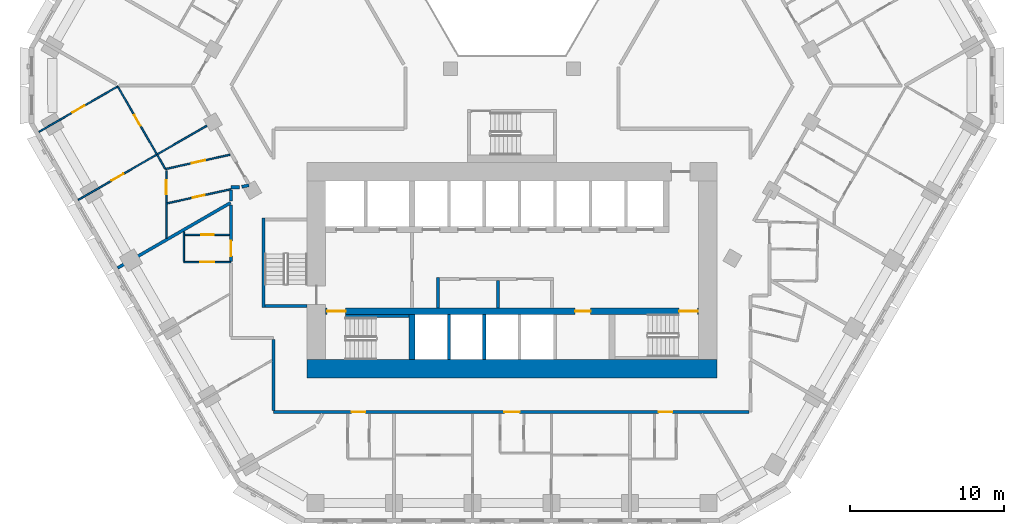
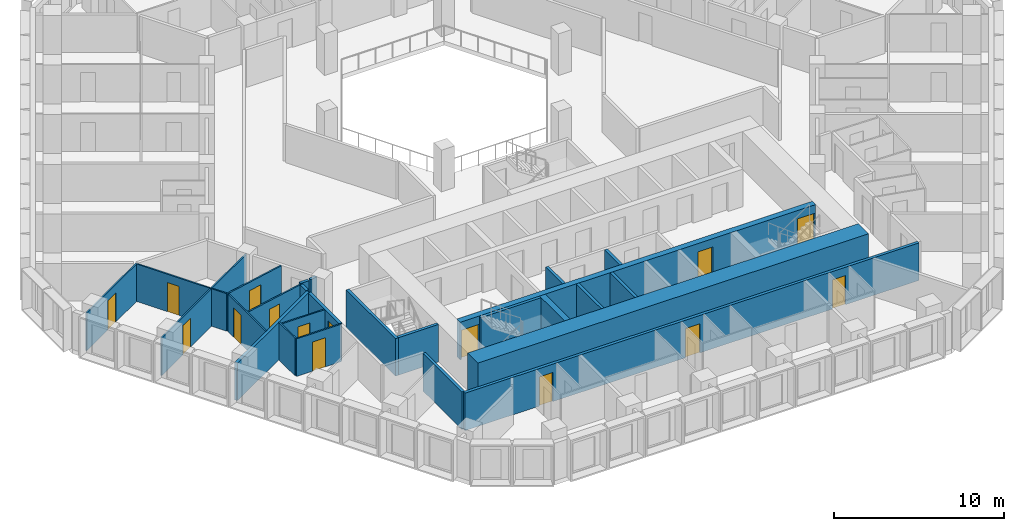
# One storey, part 4 of 21: 27 walls, 15 doors, 15 openings.
"""IFC4 building model written with IfcOpenShell, lengths in metres."""

from ifc_helpers import new_model, si_unit, direction, frame, frame_2d, origin, place, context, subcontext, project, spatial, rectangle, extrude, material, layer, layer_set, type_object, element, fill, save


model = new_model("IFC4")

# Units and contexts
model_context = context("Model", 3, precision=1e-05, world=origin(), true_north=direction((0.0, 1.0)))
body_context = subcontext(model_context, "Body", "Model", "MODEL_VIEW")
ifc_project = project(units=[si_unit("LENGTHUNIT", "METRE"), si_unit("AREAUNIT", "SQUARE_METRE"), si_unit("VOLUMEUNIT", "CUBIC_METRE"), si_unit("PLANEANGLEUNIT", "RADIAN"), si_unit("MASSUNIT", "GRAM", prefix="KILO")], contexts=[model_context])

# Site, building, storey
site_placement = place(None, origin())
site = spatial("IfcSite", under=ifc_project, at=site_placement, CompositionType="ELEMENT")
building_placement = place(site_placement, origin())
building = spatial("IfcBuilding", under=site, at=building_placement, Name="Beryl Residences", CompositionType="ELEMENT")
storey_placement = place(building_placement, frame((0.0, 0.0, 41.39990234375)))
storey = spatial("IfcBuildingStorey", under=building, at=storey_placement, Name="L12", CompositionType="ELEMENT", Elevation=41.39990234375)

# Wall, opening, door
ifc_material_1 = material(Name="Gypsum board partition on steel studs", Category="steel")
ifc_layer_1 = layer(ifc_material_1, 0.10009765625)
ifc_layer_set_1 = layer_set([ifc_layer_1], Name="PT1 partition 100 mm gypsum board on steel studs")
wall_type_1 = type_object("IfcWallType", Name="PT1 partition 100 mm gypsum board on steel studs", PredefinedType="PARTITIONING", material=ifc_layer_set_1)
wall_1_placement = place(storey_placement, frame((-25.580078125, -0.093994140625, 0.0), z_axis=(0.0, 0.0, 1.0), x_axis=(0.500093258202, -0.865971554441, 0.0)))
wall_1 = element("IfcWall", 1, at=wall_1_placement, inside=storey, type_object=wall_type_1, Name="Wall PT1 L12 004", PredefinedType="PARTITIONING", context=body_context, shape_type="SweptSolid", body=[
    extrude(rectangle(XDim=5.05322265625, YDim=0.10009765625, at=frame_2d((2.526611328125, 0.0))), origin(), (0.0, 0.0, 1.0), 2.7001953125),
])
opening_1_placement = place(wall_1_placement, frame((2.10205078125, 0.0, 0.0)))
opening_1 = element("IfcOpeningElement", 2, at=opening_1_placement, cuts=wall_1, Name="Opening D0217", PredefinedType="OPENING", context=body_context, shape_type="SweptSolid", body=[
    extrude(rectangle(XDim=0.800048828125, YDim=2.10009765625, at=frame_2d((0.39990234375, 1.050048828125))), frame((0.0, 0.06005859375, 0.0), z_axis=(0.0, -1.0, 0.0), x_axis=(1.0, 0.0, 0.0)), (0.0, 0.0, 1.0), 0.1201171875),
])
ifc_material_2 = material(Name="Timber door leaf", Category="wood")
door_type_1 = type_object("IfcDoorType", Name="D3 bathroom door 800 x 2100 mm", OperationType="SINGLE_SWING_LEFT", PredefinedType="DOOR", material=ifc_material_2)
door_1_placement = place(opening_1_placement, origin())
door_1 = element("IfcDoor", 3, at=door_1_placement, inside=storey, type_object=door_type_1, Name="Door D0217 L12 001", OperationType="SINGLE_SWING_LEFT", OverallHeight=2.10009765625, OverallWidth=0.800048828125, PredefinedType="DOOR", context=body_context, shape_type="SweptSolid", body=[
    extrude(rectangle(XDim=0.800048828125, YDim=2.10009765625, at=frame_2d((0.39990234375, 1.050048828125))), frame((0.0, 0.02490234375, 0.0), z_axis=(0.0, -1.0, 0.0), x_axis=(1.0, 0.0, 0.0)), (0.0, 0.0, 1.0), 0.050048828125),
])
fill(opening_1, door_1)

# Wall
wall_2_placement = place(storey_placement, frame((-21.31005859375, -9.47412109375, 0.0), z_axis=(0.0, 0.0, 1.0), x_axis=(0.0, -1.0, 0.0)))
element("IfcWall", 4, at=wall_2_placement, inside=storey, type_object=wall_type_1, Name="Wall PT1 L12 012", PredefinedType="PARTITIONING", context=body_context, shape_type="SweptSolid", body=[
    extrude(rectangle(XDim=1.931884765625, YDim=0.10009765625, at=frame_2d((0.9658203125, 0.0))), origin(), (0.0, 0.0, 1.0), 2.7001953125),
])

# Wall, opening, door
wall_3_placement = place(storey_placement, frame((-21.260009765625, -9.68896484375, 0.0), z_axis=(0.0, 0.0, 1.0), x_axis=(1.0, 0.0, 0.0)))
wall_3 = element("IfcWall", 5, at=wall_3_placement, inside=storey, type_object=wall_type_1, Name="Wall PT1 L12 028", PredefinedType="PARTITIONING", context=body_context, shape_type="SweptSolid", body=[
    extrude(rectangle(XDim=2.909912109375, YDim=0.10009765625, at=frame_2d((1.455078125, 0.0))), origin(), (0.0, 0.0, 1.0), 2.7001953125),
])
opening_2_placement = place(wall_3_placement, frame((1.080078125, 0.0, 0.0)))
opening_2 = element("IfcOpeningElement", 6, at=opening_2_placement, cuts=wall_3, Name="Opening D0220", PredefinedType="OPENING", context=body_context, shape_type="SweptSolid", body=[
    extrude(rectangle(XDim=0.800048828125, YDim=2.10009765625, at=frame_2d((0.39990234375, 1.050048828125))), frame((0.0, 0.06005859375, 0.0), z_axis=(0.0, -1.0, 0.0), x_axis=(1.0, 0.0, 0.0)), (0.0, 0.0, 1.0), 0.1201171875),
])
door_2_placement = place(opening_2_placement, origin())
door_2 = element("IfcDoor", 7, at=door_2_placement, inside=storey, type_object=door_type_1, Name="Door D0220 L12 001", OperationType="SINGLE_SWING_RIGHT", OverallHeight=2.10009765625, OverallWidth=0.800048828125, PredefinedType="DOOR", context=body_context, shape_type="SweptSolid", body=[
    extrude(rectangle(XDim=0.800048828125, YDim=2.10009765625, at=frame_2d((0.39990234375, 1.050048828125))), frame((0.0, 0.02490234375, 0.0), z_axis=(0.0, -1.0, 0.0), x_axis=(1.0, 0.0, 0.0)), (0.0, 0.0, 1.0), 0.050048828125),
])
fill(opening_2, door_2)

wall_4_placement = place(storey_placement, frame((-21.30908203125, -11.45703125, 0.0), z_axis=(0.0, 0.0, 1.0), x_axis=(1.0, 0.0, 0.0)))
wall_4 = element("IfcWall", 8, at=wall_4_placement, inside=storey, type_object=wall_type_1, Name="Wall PT1 L12 029", PredefinedType="PARTITIONING", context=body_context, shape_type="SweptSolid", body=[
    extrude(rectangle(XDim=3.05908203125, YDim=0.10009765625, at=frame_2d((1.529541015625, 0.0))), origin(), (0.0, 0.0, 1.0), 2.7001953125),
])
opening_3_placement = place(wall_4_placement, frame((1.0791015625, 0.0, 0.0)))
opening_3 = element("IfcOpeningElement", 9, at=opening_3_placement, cuts=wall_4, Name="Opening D0219", PredefinedType="OPENING", context=body_context, shape_type="SweptSolid", body=[
    extrude(rectangle(XDim=0.89990234375, YDim=2.10009765625, at=frame_2d((0.449951171875, 1.050048828125))), frame((0.0, 0.06005859375, 0.0), z_axis=(0.0, -1.0, 0.0), x_axis=(1.0, 0.0, 0.0)), (0.0, 0.0, 1.0), 0.1201171875),
])
ifc_material_3 = material(Name="Timber door leaf", Category="wood")
door_type_2 = type_object("IfcDoorType", Name="D2 room door 900 x 2100 mm", OperationType="SINGLE_SWING_LEFT", PredefinedType="DOOR", material=ifc_material_3)
door_3_placement = place(opening_3_placement, origin())
door_3 = element("IfcDoor", 10, at=door_3_placement, inside=storey, type_object=door_type_2, Name="Door D0219 L12 001", OperationType="SINGLE_SWING_LEFT", OverallHeight=2.10009765625, OverallWidth=0.89990234375, PredefinedType="DOOR", context=body_context, shape_type="SweptSolid", body=[
    extrude(rectangle(XDim=0.89990234375, YDim=2.10009765625, at=frame_2d((0.449951171875, 1.050048828125))), frame((0.0, 0.02490234375, 0.0), z_axis=(0.0, -1.0, 0.0), x_axis=(1.0, 0.0, 0.0)), (0.0, 0.0, 1.0), 0.050048828125),
])
fill(opening_3, door_3)

wall_5_placement = place(storey_placement, frame((-22.449951171875, -9.90087890625, 0.0), z_axis=(0.0, 0.0, 1.0), x_axis=(0.0, 1.0, 0.0)))
wall_5 = element("IfcWall", 11, at=wall_5_placement, inside=storey, type_object=wall_type_1, Name="Wall PT1 L12 060", PredefinedType="PARTITIONING", context=body_context, shape_type="SweptSolid", body=[
    extrude(rectangle(XDim=4.384765625, YDim=0.10009765625, at=frame_2d((2.1923828125, 0.0))), origin(), (0.0, 0.0, 1.0), 2.7001953125),
])
opening_4_placement = place(wall_5_placement, frame((2.85498046875, 0.0, 0.0)))
opening_4 = element("IfcOpeningElement", 12, at=opening_4_placement, cuts=wall_5, Name="Opening D0214", PredefinedType="OPENING", context=body_context, shape_type="SweptSolid", body=[
    extrude(rectangle(XDim=0.89990234375, YDim=2.10009765625, at=frame_2d((0.449951171875, 1.050048828125))), frame((0.0, 0.06005859375, 0.0), z_axis=(0.0, -1.0, 0.0), x_axis=(1.0, 0.0, 0.0)), (0.0, 0.0, 1.0), 0.1201171875),
])
door_4_placement = place(opening_4_placement, origin())
door_4 = element("IfcDoor", 13, at=door_4_placement, inside=storey, type_object=door_type_2, Name="Door D0214 L12 001", OperationType="SINGLE_SWING_RIGHT", OverallHeight=2.10009765625, OverallWidth=0.89990234375, PredefinedType="DOOR", context=body_context, shape_type="SweptSolid", body=[
    extrude(rectangle(XDim=0.89990234375, YDim=2.10009765625, at=frame_2d((0.449951171875, 1.050048828125))), frame((0.0, 0.02490234375, 0.0), z_axis=(0.0, -1.0, 0.0), x_axis=(1.0, 0.0, 0.0)), (0.0, 0.0, 1.0), 0.050048828125),
])
fill(opening_4, door_4)

wall_6_placement = place(storey_placement, frame((-22.508056640625, -5.416015625, 0.0), z_axis=(0.0, 0.0, 1.0), x_axis=(0.976332464286, 0.216275100696, 0.0)))
wall_6 = element("IfcWall", 14, at=wall_6_placement, inside=storey, type_object=wall_type_1, Name="Wall PT1 L12 062", PredefinedType="PARTITIONING", context=body_context, shape_type="SweptSolid", body=[
    extrude(rectangle(XDim=4.2998046875, YDim=0.10009765625, at=frame_2d((2.14990234375, 0.0))), origin(), (0.0, 0.0, 1.0), 2.7001953125),
])
opening_5_placement = place(wall_6_placement, frame((1.751953125, 0.0, 0.0)))
opening_5 = element("IfcOpeningElement", 15, at=opening_5_placement, cuts=wall_6, Name="Opening D0212", PredefinedType="OPENING", context=body_context, shape_type="SweptSolid", body=[
    extrude(rectangle(XDim=0.89990234375, YDim=2.10009765625, at=frame_2d((0.449951171875, 1.050048828125))), frame((0.0, 0.06005859375, 0.0), z_axis=(0.0, -1.0, 0.0), x_axis=(1.0, 0.0, 0.0)), (0.0, 0.0, 1.0), 0.1201171875),
])
door_5_placement = place(opening_5_placement, origin())
door_5 = element("IfcDoor", 16, at=door_5_placement, inside=storey, type_object=door_type_2, Name="Door D0212 L12 001", OperationType="SINGLE_SWING_RIGHT", OverallHeight=2.10009765625, OverallWidth=0.89990234375, PredefinedType="DOOR", context=body_context, shape_type="SweptSolid", body=[
    extrude(rectangle(XDim=0.89990234375, YDim=2.10009765625, at=frame_2d((0.449951171875, 1.050048828125))), frame((0.0, 0.02490234375, 0.0), z_axis=(0.0, -1.0, 0.0), x_axis=(1.0, 0.0, 0.0)), (0.0, 0.0, 1.0), 0.050048828125),
])
fill(opening_5, door_5)

wall_7_placement = place(storey_placement, frame((-22.39990234375, -7.64501953125, 0.0), z_axis=(0.0, 0.0, 1.0), x_axis=(0.97634896822, 0.216200583385, 0.0)))
wall_7 = element("IfcWall", 17, at=wall_7_placement, inside=storey, type_object=wall_type_1, Name="Wall PT1 L12 063", PredefinedType="PARTITIONING", context=body_context, shape_type="SweptSolid", body=[
    extrude(rectangle(XDim=4.25048828125, YDim=0.10009765625, at=frame_2d((2.125244140625, 0.0))), origin(), (0.0, 0.0, 1.0), 2.7001953125),
])
opening_6_placement = place(wall_7_placement, frame((1.699951171875, 0.0, 0.0)))
opening_6 = element("IfcOpeningElement", 18, at=opening_6_placement, cuts=wall_7, Name="Opening D0213", PredefinedType="OPENING", context=body_context, shape_type="SweptSolid", body=[
    extrude(rectangle(XDim=0.800048828125, YDim=2.10009765625, at=frame_2d((0.39990234375, 1.050048828125))), frame((0.0, 0.06005859375, 0.0), z_axis=(0.0, -1.0, 0.0), x_axis=(1.0, 0.0, 0.0)), (0.0, 0.0, 1.0), 0.1201171875),
])
door_6_placement = place(opening_6_placement, origin())
door_6 = element("IfcDoor", 19, at=door_6_placement, inside=storey, type_object=door_type_1, Name="Door D0213 L12 001", OperationType="SINGLE_SWING_LEFT", OverallHeight=2.10009765625, OverallWidth=0.800048828125, PredefinedType="DOOR", context=body_context, shape_type="SweptSolid", body=[
    extrude(rectangle(XDim=0.800048828125, YDim=2.10009765625, at=frame_2d((0.39990234375, 1.050048828125))), frame((0.0, 0.02490234375, 0.0), z_axis=(0.0, -1.0, 0.0), x_axis=(1.0, 0.0, 0.0)), (0.0, 0.0, 1.0), 0.050048828125),
])
fill(opening_6, door_6)

wall_8_placement = place(storey_placement, frame((-28.1630859375, -7.419921875, 0.0), z_axis=(0.0, 0.0, 1.0), x_axis=(0.866065245018, 0.499930986609, 0.0)))
wall_8 = element("IfcWall", 20, at=wall_8_placement, inside=storey, type_object=wall_type_1, Name="Wall PT1 L12 067", PredefinedType="PARTITIONING", context=body_context, shape_type="SweptSolid", body=[
    extrude(rectangle(XDim=9.99951171875, YDim=0.10009765625, at=frame_2d((4.999755859375, 0.0))), origin(), (0.0, 0.0, 1.0), 2.7001953125),
])
opening_7_placement = place(wall_8_placement, frame((2.5, 0.0, 0.0)))
opening_7 = element("IfcOpeningElement", 21, at=opening_7_placement, cuts=wall_8, Name="Opening D0215", PredefinedType="OPENING", context=body_context, shape_type="SweptSolid", body=[
    extrude(rectangle(XDim=0.89990234375, YDim=2.10009765625, at=frame_2d((0.449951171875, 1.050048828125))), frame((0.0, 0.06005859375, 0.0), z_axis=(0.0, -1.0, 0.0), x_axis=(1.0, 0.0, 0.0)), (0.0, 0.0, 1.0), 0.1201171875),
])
door_7_placement = place(opening_7_placement, origin())
door_7 = element("IfcDoor", 22, at=door_7_placement, inside=storey, type_object=door_type_2, Name="Door D0215 L12 001", OperationType="SINGLE_SWING_LEFT", OverallHeight=2.10009765625, OverallWidth=0.89990234375, PredefinedType="DOOR", context=body_context, shape_type="SweptSolid", body=[
    extrude(rectangle(XDim=0.89990234375, YDim=2.10009765625, at=frame_2d((0.449951171875, 1.050048828125))), frame((0.0, 0.02490234375, 0.0), z_axis=(0.0, -1.0, 0.0), x_axis=(1.0, 0.0, 0.0)), (0.0, 0.0, 1.0), 0.050048828125),
])
fill(opening_7, door_7)

wall_9_placement = place(storey_placement, frame((-30.715087890625, -3.0, 0.0), z_axis=(0.0, 0.0, 1.0), x_axis=(0.866113484451, 0.499847408768, 0.0)))
wall_9 = element("IfcWall", 23, at=wall_9_placement, inside=storey, type_object=wall_type_1, Name="Wall PT1 L12 068", PredefinedType="PARTITIONING", context=body_context, shape_type="SweptSolid", body=[
    extrude(rectangle(XDim=5.919677734375, YDim=0.10009765625, at=frame_2d((2.9599609375, 0.0))), origin(), (0.0, 0.0, 1.0), 2.7001953125),
])
opening_8_placement = place(wall_9_placement, frame((2.510009765625, 0.0, 0.0)))
opening_8 = element("IfcOpeningElement", 24, at=opening_8_placement, cuts=wall_9, Name="Opening D0216", PredefinedType="OPENING", context=body_context, shape_type="SweptSolid", body=[
    extrude(rectangle(XDim=0.89990234375, YDim=2.10009765625, at=frame_2d((0.449951171875, 1.050048828125))), frame((0.0, 0.06005859375, 0.0), z_axis=(0.0, -1.0, 0.0), x_axis=(1.0, 0.0, 0.0)), (0.0, 0.0, 1.0), 0.1201171875),
])
door_8_placement = place(opening_8_placement, origin())
door_8 = element("IfcDoor", 25, at=door_8_placement, inside=storey, type_object=door_type_2, Name="Door D0216 L12 001", OperationType="SINGLE_SWING_RIGHT", OverallHeight=2.10009765625, OverallWidth=0.89990234375, PredefinedType="DOOR", context=body_context, shape_type="SweptSolid", body=[
    extrude(rectangle(XDim=0.89990234375, YDim=2.10009765625, at=frame_2d((0.449951171875, 1.050048828125))), frame((0.0, 0.02490234375, 0.0), z_axis=(0.0, -1.0, 0.0), x_axis=(1.0, 0.0, 0.0)), (0.0, 0.0, 1.0), 0.050048828125),
])
fill(opening_8, door_8)

# Walls
wall_10_placement = place(storey_placement, frame((-23.052978515625, -4.469970703125, 0.0), z_axis=(0.0, 0.0, 1.0), x_axis=(0.499629475903, -0.866239220313, 0.0)))
element("IfcWall", 26, at=wall_10_placement, inside=storey, type_object=wall_type_1, Name="Wall PT1 L12 075", PredefinedType="PARTITIONING", context=body_context, shape_type="SweptSolid", body=[
    extrude(rectangle(XDim=1.060791015625, YDim=0.10009765625, at=frame_2d((0.5302734375, 0.0))), origin(), (0.0, 0.0, 1.0), 2.7001953125),
])
ifc_material_4 = material(Name="Concrete masonry", Category="masonry")
ifc_layer_2 = layer(ifc_material_4, 0.199951171875)
ifc_layer_set_2 = layer_set([ifc_layer_2], Name="PT13 lobby wall 200 mm")
wall_type_2 = type_object("IfcWallType", Name="PT13 lobby wall 200 mm", PredefinedType="PARTITIONING", material=ifc_layer_set_2)
wall_11_placement = place(storey_placement, frame((-4.800048828125, -14.449951171875, 0.0), z_axis=(0.0, 0.0, 1.0), x_axis=(0.0, 1.0, 0.0)))
element("IfcWall", 27, at=wall_11_placement, inside=storey, type_object=wall_type_2, Name="Lobby wall 07", PredefinedType="PARTITIONING", context=body_context, shape_type="SweptSolid", body=[
    extrude(rectangle(XDim=2.0, YDim=0.199951171875, at=frame_2d((1.0, 0.0))), origin(), (0.0, 0.0, 1.0), 2.7001953125),
])
ifc_material_5 = material(Name="Acoustic double stud gypsum board wall")
ifc_layer_3 = layer(ifc_material_5, 0.199951171875)
ifc_layer_set_3 = layer_set([ifc_layer_3], Name="PT3 party wall 200 mm acoustic double stud")
wall_type_3 = type_object("IfcWallType", Name="PT3 party wall 200 mm acoustic double stud", PredefinedType="PARTITIONING", material=ifc_layer_set_3)
wall_12_placement = place(storey_placement, frame((-17.547119140625, -6.570068359375, 0.0), z_axis=(0.0, 0.0, 1.0), x_axis=(0.97647747569, 0.215619432033, 0.0)))
element("IfcWall", 28, at=wall_12_placement, inside=storey, type_object=wall_type_3, Name="Wall PT3 L12 023", PredefinedType="PARTITIONING", context=body_context, shape_type="SweptSolid", body=[
    extrude(rectangle(XDim=0.473388671875, YDim=0.199951171875, at=frame_2d((0.23681640625, 0.0))), origin(), (0.0, 0.0, 1.0), 2.7001953125),
])
wall_13_placement = place(storey_placement, frame((-25.610107421875, -11.841064453125, 0.0), z_axis=(0.0, 0.0, 1.0), x_axis=(0.866019023803, 0.500011050288, 0.0)))
element("IfcWall", 29, at=wall_13_placement, inside=storey, type_object=wall_type_3, Name="Wall PT3 L12 028", PredefinedType="PARTITIONING", context=body_context, shape_type="SweptSolid", body=[
    extrude(rectangle(XDim=8.469970703125, YDim=0.199951171875, at=frame_2d((4.23486328125, 0.0))), origin(), (0.0, 0.0, 1.0), 2.7001953125),
])
ifc_material_6 = material(Name="Double stud gypsum board wall")
ifc_layer_4 = layer(ifc_material_6, 0.199951171875)
ifc_layer_set_4 = layer_set([ifc_layer_4], Name="PT4 corridor wall 200 mm double stud")
wall_type_4 = type_object("IfcWallType", Name="PT4 corridor wall 200 mm double stud", PredefinedType="PARTITIONING", material=ifc_layer_set_4)
wall_14_placement = place(storey_placement, frame((-15.5, -16.5, 0.0), z_axis=(0.0, 0.0, 1.0), x_axis=(0.0, -1.0, 0.0)))
element("IfcWall", 30, at=wall_14_placement, inside=storey, type_object=wall_type_4, Name="Wall PT4 L12 007", PredefinedType="PARTITIONING", context=body_context, shape_type="SweptSolid", body=[
    extrude(rectangle(XDim=4.59912109375, YDim=0.199951171875, at=frame_2d((2.299560546875, 0.0))), origin(), (0.0, 0.0, 1.0), 2.7001953125),
])
wall_15_placement = place(storey_placement, frame((-18.25, -6.60009765625, 0.0), z_axis=(0.0, 0.0, 1.0), x_axis=(1.0, 0.0, 0.0)))
element("IfcWall", 31, at=wall_15_placement, inside=storey, type_object=wall_type_4, Name="Wall PT4 L12 010", PredefinedType="PARTITIONING", context=body_context, shape_type="SweptSolid", body=[
    extrude(rectangle(XDim=0.568115234375, YDim=0.199951171875, at=frame_2d((0.2841796875, 0.0))), origin(), (0.0, 0.0, 1.0), 2.7001953125),
])

# Wall, openings, doors
wall_16_placement = place(storey_placement, frame((-15.4990234375, -21.199951171875, 0.0), z_axis=(0.0, 0.0, 1.0), x_axis=(1.0, 0.0, 0.0)))
wall_16 = element("IfcWall", 32, at=wall_16_placement, inside=storey, type_object=wall_type_4, Name="Wall PT4 L12 014", PredefinedType="PARTITIONING", context=body_context, shape_type="SweptSolid", body=[
    extrude(rectangle(XDim=30.89794921875, YDim=0.199951171875, at=frame_2d((15.448974609375, 0.0))), origin(), (0.0, 0.0, 1.0), 2.7001953125),
])
opening_9_placement = place(wall_16_placement, frame((5.083984375, 0.0, 0.0)))
opening_9 = element("IfcOpeningElement", 33, at=opening_9_placement, cuts=wall_16, Name="Opening D0223", PredefinedType="OPENING", context=body_context, shape_type="SweptSolid", body=[
    extrude(rectangle(XDim=0.89990234375, YDim=2.10009765625, at=frame_2d((0.449951171875, 1.050048828125))), frame((0.0, 0.10986328125, 0.0), z_axis=(0.0, -1.0, 0.0), x_axis=(1.0, 0.0, 0.0)), (0.0, 0.0, 1.0), 0.219970703125),
])
opening_10_placement = place(wall_16_placement, frame((15.0, 0.0, 0.0)))
opening_10 = element("IfcOpeningElement", 34, at=opening_10_placement, cuts=wall_16, Name="Opening D0226", PredefinedType="OPENING", context=body_context, shape_type="SweptSolid", body=[
    extrude(rectangle(XDim=1.0, YDim=2.10009765625, at=frame_2d((0.5, 1.050048828125))), frame((0.0, 0.10986328125, 0.0), z_axis=(0.0, -1.0, 0.0), x_axis=(1.0, 0.0, 0.0)), (0.0, 0.0, 1.0), 0.219970703125),
])
opening_11_placement = place(wall_16_placement, frame((25.014892578125, 0.0, 0.0)))
opening_11 = element("IfcOpeningElement", 35, at=opening_11_placement, cuts=wall_16, Name="Opening D0233", PredefinedType="OPENING", context=body_context, shape_type="SweptSolid", body=[
    extrude(rectangle(XDim=0.89990234375, YDim=2.10009765625, at=frame_2d((0.449951171875, 1.050048828125))), frame((0.0, 0.10986328125, 0.0), z_axis=(0.0, -1.0, 0.0), x_axis=(1.0, 0.0, 0.0)), (0.0, 0.0, 1.0), 0.219970703125),
])
ifc_material_7 = material(Name="Timber door leaf", Category="wood")
door_type_3 = type_object("IfcDoorType", Name="D1 flat entrance door 1000 x 2100 mm", OperationType="SINGLE_SWING_LEFT", PredefinedType="DOOR", material=ifc_material_7)
door_9_placement = place(opening_10_placement, origin())
door_9 = element("IfcDoor", 36, at=door_9_placement, inside=storey, type_object=door_type_3, Name="Door D0226 L12 001", OperationType="SINGLE_SWING_RIGHT", OverallHeight=2.10009765625, OverallWidth=1.0, PredefinedType="DOOR", context=body_context, shape_type="SweptSolid", body=[
    extrude(rectangle(XDim=1.0, YDim=2.10009765625, at=frame_2d((0.5, 1.050048828125))), frame((0.0, 0.02490234375, 0.0), z_axis=(0.0, -1.0, 0.0), x_axis=(1.0, 0.0, 0.0)), (0.0, 0.0, 1.0), 0.050048828125),
])
fill(opening_10, door_9)
ifc_material_8 = material(Name="Timber door leaf", Category="wood")
door_type_4 = type_object("IfcDoorType", Name="D11 flat entrance door 900 x 2100 mm", OperationType="SINGLE_SWING_LEFT", PredefinedType="DOOR", material=ifc_material_8)
door_10_placement = place(opening_9_placement, origin())
door_10 = element("IfcDoor", 37, at=door_10_placement, inside=storey, type_object=door_type_4, Name="Door D0223 L12 001", OperationType="SINGLE_SWING_LEFT", OverallHeight=2.10009765625, OverallWidth=0.89990234375, PredefinedType="DOOR", context=body_context, shape_type="SweptSolid", body=[
    extrude(rectangle(XDim=0.89990234375, YDim=2.10009765625, at=frame_2d((0.449951171875, 1.050048828125))), frame((0.0, 0.02490234375, 0.0), z_axis=(0.0, -1.0, 0.0), x_axis=(1.0, 0.0, 0.0)), (0.0, 0.0, 1.0), 0.050048828125),
])
fill(opening_9, door_10)
door_11_placement = place(opening_11_placement, origin())
door_11 = element("IfcDoor", 38, at=door_11_placement, inside=storey, type_object=door_type_4, Name="Door D0233 L12 001", OperationType="SINGLE_SWING_LEFT", OverallHeight=2.10009765625, OverallWidth=0.89990234375, PredefinedType="DOOR", context=body_context, shape_type="SweptSolid", body=[
    extrude(rectangle(XDim=0.89990234375, YDim=2.10009765625, at=frame_2d((0.449951171875, 1.050048828125))), frame((0.0, 0.02490234375, 0.0), z_axis=(0.0, -1.0, 0.0), x_axis=(1.0, 0.0, 0.0)), (0.0, 0.0, 1.0), 0.050048828125),
])
fill(opening_11, door_11)

# Wall, opening, door
wall_17_placement = place(storey_placement, frame((-18.25, -11.406982421875, 0.0), z_axis=(0.0, 0.0, 1.0), x_axis=(0.0, 1.0, 0.0)))
wall_17 = element("IfcWall", 39, at=wall_17_placement, inside=storey, type_object=wall_type_4, Name="Wall PT4 L12 034", PredefinedType="PARTITIONING", context=body_context, shape_type="SweptSolid", body=[
    extrude(rectangle(XDim=3.6650390625, YDim=0.199951171875, at=frame_2d((1.83251953125, 0.0))), origin(), (0.0, 0.0, 1.0), 2.7001953125),
])
opening_12_placement = place(wall_17_placement, frame((0.333984375, 0.0, 0.0)))
opening_12 = element("IfcOpeningElement", 40, at=opening_12_placement, cuts=wall_17, Name="Opening D0218", PredefinedType="OPENING", context=body_context, shape_type="SweptSolid", body=[
    extrude(rectangle(XDim=1.0, YDim=2.10009765625, at=frame_2d((0.5, 1.050048828125))), frame((0.0, 0.10986328125, 0.0), z_axis=(0.0, -1.0, 0.0), x_axis=(1.0, 0.0, 0.0)), (0.0, 0.0, 1.0), 0.219970703125),
])
door_12_placement = place(opening_12_placement, origin())
door_12 = element("IfcDoor", 41, at=door_12_placement, inside=storey, type_object=door_type_3, Name="Door D0218 L12 001", OperationType="SINGLE_SWING_RIGHT", OverallHeight=2.10009765625, OverallWidth=1.0, PredefinedType="DOOR", context=body_context, shape_type="SweptSolid", body=[
    extrude(rectangle(XDim=1.0, YDim=2.10009765625, at=frame_2d((0.5, 1.050048828125))), frame((0.0, 0.02490234375, 0.0), z_axis=(0.0, -1.0, 0.0), x_axis=(1.0, 0.0, 0.0)), (0.0, 0.0, 1.0), 0.050048828125),
])
fill(opening_12, door_12)

# Walls
wall_18_placement = place(storey_placement, frame((-18.25, -7.47607421875, 0.0), z_axis=(0.0, 0.0, 1.0), x_axis=(0.0, 1.0, 0.0)))
element("IfcWall", 42, at=wall_18_placement, inside=storey, type_object=wall_type_4, Name="Wall PT4 L12 035", PredefinedType="PARTITIONING", context=body_context, shape_type="SweptSolid", body=[
    extrude(rectangle(XDim=0.698974609375, YDim=0.199951171875, at=frame_2d((0.349609375, 0.0))), origin(), (0.0, 0.0, 1.0), 2.7001953125),
])
ifc_material_9 = material(Name="Concrete C40/50", Category="concrete")
ifc_layer_5 = layer(ifc_material_9, 0.199951171875)
ifc_layer_set_5 = layer_set([ifc_layer_5], Name="PT5 stair enclosure wall 200 mm reinforced concrete C40/50")
wall_type_5 = type_object("IfcWallType", Name="PT5 stair enclosure wall 200 mm reinforced concrete C40/50", PredefinedType="SOLIDWALL", material=ifc_layer_set_5)
wall_19_placement = place(storey_placement, frame((-16.14990234375, -14.39990234375, 0.0), z_axis=(0.0, 0.0, 1.0), x_axis=(0.0, 1.0, 0.0)))
element("IfcWall", 43, at=wall_19_placement, inside=storey, type_object=wall_type_5, Name="Stair wall 01", PredefinedType="SOLIDWALL", context=body_context, shape_type="SweptSolid", body=[
    extrude(rectangle(XDim=5.7998046875, YDim=0.199951171875, at=frame_2d((2.89990234375, 0.0))), origin(), (0.0, 0.0, 1.0), 2.7001953125),
])
wall_20_placement = place(storey_placement, frame((-16.050048828125, -14.300048828125, 0.0), z_axis=(0.0, 0.0, 1.0), x_axis=(1.0, 0.0, 0.0)))
element("IfcWall", 44, at=wall_20_placement, inside=storey, type_object=wall_type_5, Name="Stair wall 02", PredefinedType="SOLIDWALL", context=body_context, shape_type="SweptSolid", body=[
    extrude(rectangle(XDim=2.75, YDim=0.199951171875, at=frame_2d((1.375, 0.0))), origin(), (0.0, 0.0, 1.0), 2.7001953125),
])
wall_21_placement = place(storey_placement, frame((-10.800048828125, -14.949951171875, 0.0), z_axis=(0.0, 0.0, 1.0), x_axis=(1.0, 0.0, 0.0)))
element("IfcWall", 45, at=wall_21_placement, inside=storey, type_object=wall_type_5, Name="Stair wall 04", PredefinedType="SOLIDWALL", context=body_context, shape_type="SweptSolid", body=[
    extrude(rectangle(XDim=4.10009765625, YDim=0.199951171875, at=frame_2d((2.050048828125, 0.0))), origin(), (0.0, 0.0, 1.0), 2.7001953125),
])
ifc_material_10 = material(Name="Concrete C40/50", Category="concrete")
ifc_layer_6 = layer(ifc_material_10, 0.199951171875)
ifc_layer_set_6 = layer_set([ifc_layer_6], Name="PT6 lift shaft wall 200 mm reinforced concrete C40/50")
wall_type_6 = type_object("IfcWallType", Name="PT6 lift shaft wall 200 mm reinforced concrete C40/50", PredefinedType="SOLIDWALL", material=ifc_layer_set_6)
for number, where, z_axis, x_axis, name in (
    (46, (-4.10009765625, -17.800048828125, 0.0), (0.0, 0.0, 1.0), (0.0, 1.0, 0.0), "Lift shaft wall 09"),
    (47, (-1.800048828125, -17.800048828125, 0.0), (0.0, 0.0, 1.0), (0.0, 1.0, 0.0), "Lift shaft wall 11"),
):
    element("IfcWall", number, at=place(storey_placement, frame(where, z_axis=z_axis, x_axis=x_axis)), inside=storey, type_object=wall_type_6, Name=name, PredefinedType="SOLIDWALL", context=body_context, shape_type="SweptSolid", body=[
        extrude(rectangle(XDim=2.949951171875, YDim=0.199951171875, at=frame_2d((1.47509765625, 0.0))), origin(), (0.0, 0.0, 1.0), 2.7001953125),
    ])
ifc_material_11 = material(Name="Concrete masonry", Category="masonry")
ifc_layer_7 = layer(ifc_material_11, 0.199951171875)
ifc_layer_set_7 = layer_set([ifc_layer_7], Name="PT8-200 service room wall 200 mm")
wall_type_7 = type_object("IfcWallType", Name="PT8-200 service room wall 200 mm", PredefinedType="PARTITIONING", material=ifc_layer_set_7)
wall_22_placement = place(storey_placement, frame((-0.89990234375, -14.449951171875, 0.0), z_axis=(0.0, 0.0, 1.0), x_axis=(0.0, 1.0, 0.0)))
element("IfcWall", 48, at=wall_22_placement, inside=storey, type_object=wall_type_7, Name="Core room wall 13", PredefinedType="PARTITIONING", context=body_context, shape_type="SweptSolid", body=[
    extrude(rectangle(XDim=1.800048828125, YDim=0.199951171875, at=frame_2d((0.89990234375, 0.0))), origin(), (0.0, 0.0, 1.0), 2.7001953125),
])
ifc_material_12 = material(Name="Concrete C80/95", Category="concrete")
ifc_layer_8 = layer(ifc_material_12, 1.199951171875)
ifc_layer_set_8 = layer_set([ifc_layer_8], Name="SW1 core outer wall 1200 mm C80/95")
wall_type_8 = type_object("IfcWallType", Name="SW1 core outer wall 1200 mm C80/95", PredefinedType="SHEAR", material=ifc_layer_set_8)
wall_23_placement = place(storey_placement, frame((-13.300048828125, -18.39990234375, 0.0), z_axis=(0.0, 0.0, 1.0), x_axis=(1.0, 0.0, 0.0)))
element("IfcWall", 49, at=wall_23_placement, inside=storey, type_object=wall_type_8, Name="Core wall S L12", PredefinedType="SHEAR", context=body_context, shape_type="SweptSolid", body=[
    extrude(rectangle(XDim=26.60009765625, YDim=1.199951171875, at=frame_2d((13.300048828125, 0.0))), origin(), (0.0, 0.0, 1.0), 2.7001953125),
])

# Wall, openings, doors
ifc_material_13 = material(Name="Concrete C80/95", Category="concrete")
ifc_layer_9 = layer(ifc_material_13, 0.39990234375)
ifc_layer_set_9 = layer_set([ifc_layer_9], Name="SW6 core internal wall 400 mm C80/95")
wall_type_9 = type_object("IfcWallType", Name="SW6 core internal wall 400 mm C80/95", PredefinedType="SHEAR", material=ifc_layer_set_9)
wall_24_placement = place(storey_placement, frame((-12.10009765625, -14.64990234375, 0.0), z_axis=(0.0, 0.0, 1.0), x_axis=(1.0, 0.0, 0.0)))
wall_24 = element("IfcWall", 50, at=wall_24_placement, inside=storey, type_object=wall_type_9, Name="Core wall SP1 L12", PredefinedType="SHEAR", context=body_context, shape_type="SweptSolid", body=[
    extrude(rectangle(XDim=24.2001953125, YDim=0.39990234375, at=frame_2d((12.10009765625, 0.0))), origin(), (0.0, 0.0, 1.0), 2.7001953125),
])
opening_13_placement = place(wall_24_placement, frame((1.300048828125, 0.0, 0.0), z_axis=(0.0, 0.0, 1.0), x_axis=(-1.0, 0.0, 0.0)))
opening_13 = element("IfcOpeningElement", 51, at=opening_13_placement, cuts=wall_24, Name="Opening SD-1", PredefinedType="OPENING", context=body_context, shape_type="SweptSolid", body=[
    extrude(rectangle(XDim=1.199951171875, YDim=2.10009765625, at=frame_2d((0.60009765625, 1.050048828125))), frame((0.0, 0.2099609375, 0.0), z_axis=(0.0, -1.0, 0.0), x_axis=(1.0, 0.0, 0.0)), (0.0, 0.0, 1.0), 0.419921875),
])
opening_14_placement = place(wall_24_placement, frame((24.14990234375, 0.0, 0.0), z_axis=(0.0, 0.0, 1.0), x_axis=(-1.0, 0.0, 0.0)))
opening_14 = element("IfcOpeningElement", 52, at=opening_14_placement, cuts=wall_24, Name="Opening SD-3", PredefinedType="OPENING", context=body_context, shape_type="SweptSolid", body=[
    extrude(rectangle(XDim=1.199951171875, YDim=2.10009765625, at=frame_2d((0.60009765625, 1.050048828125))), frame((0.0, 0.2099609375, 0.0), z_axis=(0.0, -1.0, 0.0), x_axis=(1.0, 0.0, 0.0)), (0.0, 0.0, 1.0), 0.419921875),
])
opening_15_placement = place(wall_24_placement, frame((17.199951171875, 0.0, 0.0), z_axis=(0.0, 0.0, 1.0), x_axis=(-1.0, 0.0, 0.0)))
opening_15 = element("IfcOpeningElement", 53, at=opening_15_placement, cuts=wall_24, Name="Opening CD-D-S1", PredefinedType="OPENING", context=body_context, shape_type="SweptSolid", body=[
    extrude(rectangle(XDim=1.0, YDim=2.10009765625, at=frame_2d((0.5, 1.050048828125))), frame((0.0, 0.2099609375, 0.0), z_axis=(0.0, -1.0, 0.0), x_axis=(1.0, 0.0, 0.0)), (0.0, 0.0, 1.0), 0.419921875),
])
ifc_material_14 = material(Name="Steel door leaf in steel frame", Category="steel")
door_type_5 = type_object("IfcDoorType", Name="D18 service room door 1000 x 2100 mm", OperationType="SINGLE_SWING_LEFT", PredefinedType="DOOR", material=ifc_material_14)
door_13_placement = place(opening_15_placement, origin())
door_13 = element("IfcDoor", 54, at=door_13_placement, inside=storey, type_object=door_type_5, Name="Door CD-D-S1 L12 001", OperationType="SINGLE_SWING_RIGHT", OverallHeight=2.10009765625, OverallWidth=1.0, PredefinedType="DOOR", context=body_context, shape_type="SweptSolid", body=[
    extrude(rectangle(XDim=1.0, YDim=2.10009765625, at=frame_2d((0.5, 1.050048828125))), frame((0.0, 0.02490234375, 0.0), z_axis=(0.0, -1.0, 0.0), x_axis=(1.0, 0.0, 0.0)), (0.0, 0.0, 1.0), 0.050048828125),
])
fill(opening_15, door_13)
ifc_material_15 = material(Name="Steel door leaf in steel frame", Category="steel")
door_type_6 = type_object("IfcDoorType", Name="D4 stair door 1200 x 2100 mm", OperationType="SINGLE_SWING_LEFT", PredefinedType="DOOR", material=ifc_material_15)
door_14_placement = place(opening_13_placement, origin())
door_14 = element("IfcDoor", 55, at=door_14_placement, inside=storey, type_object=door_type_6, Name="Door SD-1 L12 001", OperationType="SINGLE_SWING_RIGHT", OverallHeight=2.10009765625, OverallWidth=1.199951171875, PredefinedType="DOOR", context=body_context, shape_type="SweptSolid", body=[
    extrude(rectangle(XDim=1.199951171875, YDim=2.10009765625, at=frame_2d((0.60009765625, 1.050048828125))), frame((0.0, 0.02490234375, 0.0), z_axis=(0.0, -1.0, 0.0), x_axis=(1.0, 0.0, 0.0)), (0.0, 0.0, 1.0), 0.050048828125),
])
fill(opening_13, door_14)
door_15_placement = place(opening_14_placement, origin())
door_15 = element("IfcDoor", 56, at=door_15_placement, inside=storey, type_object=door_type_6, Name="Door SD-3 L12 001", OperationType="SINGLE_SWING_RIGHT", OverallHeight=2.10009765625, OverallWidth=1.199951171875, PredefinedType="DOOR", context=body_context, shape_type="SweptSolid", body=[
    extrude(rectangle(XDim=1.199951171875, YDim=2.10009765625, at=frame_2d((0.60009765625, 1.050048828125))), frame((0.0, 0.02490234375, 0.0), z_axis=(0.0, -1.0, 0.0), x_axis=(1.0, 0.0, 0.0)), (0.0, 0.0, 1.0), 0.050048828125),
])
fill(opening_14, door_15)

# Wall
wall_25_placement = place(storey_placement, frame((-6.5, -17.800048828125, 0.0), z_axis=(0.0, 0.0, 1.0), x_axis=(0.0, 1.0, 0.0)))
element("IfcWall", 57, at=wall_25_placement, inside=storey, type_object=wall_type_9, Name="Core wall XS1 L12", PredefinedType="SHEAR", context=body_context, shape_type="SweptSolid", body=[
    extrude(rectangle(XDim=2.949951171875, YDim=0.39990234375, at=frame_2d((1.47509765625, 0.0))), origin(), (0.0, 0.0, 1.0), 2.7001953125),
])

save(model, "model.ifc")
